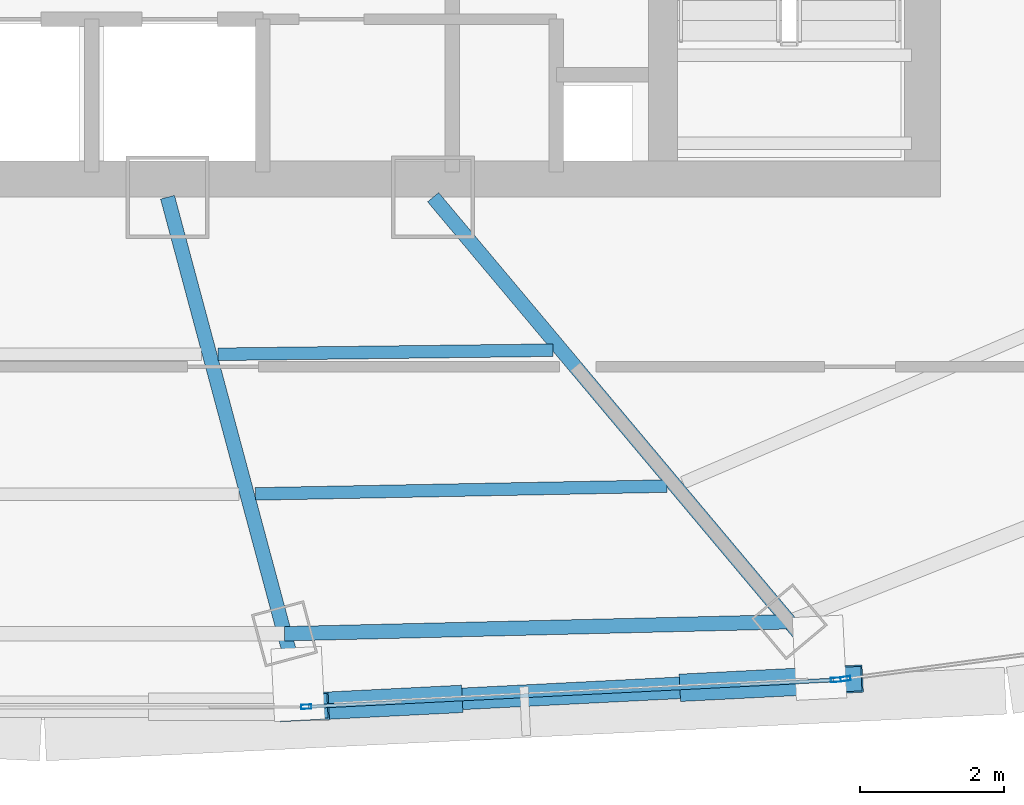
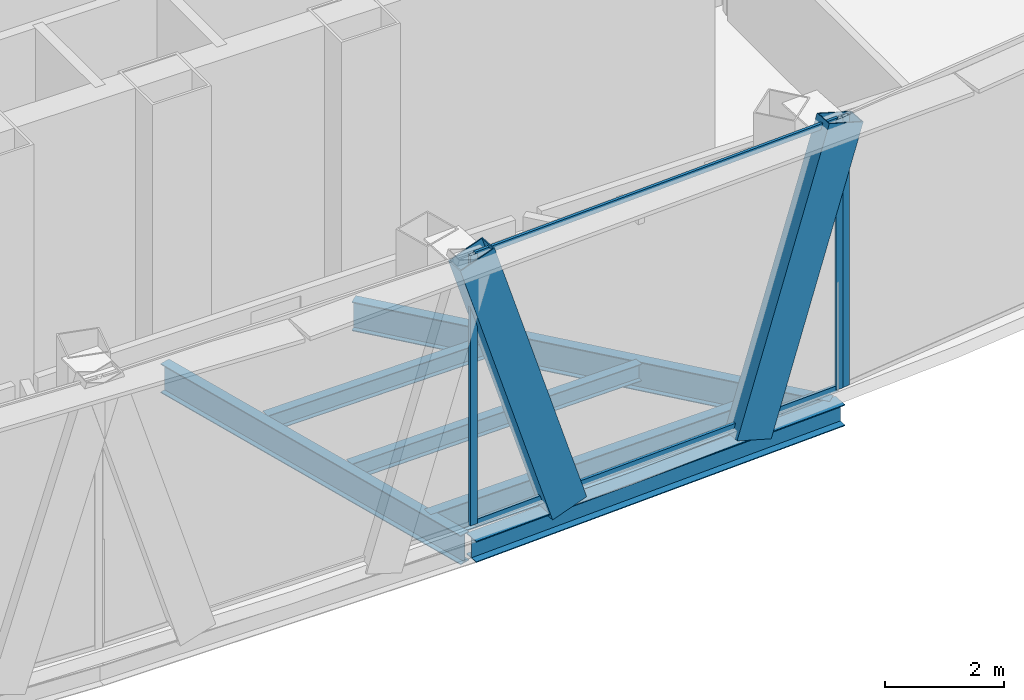
# One storey, part 12 of 33: 7 members, 6 beams, 2 elements without a shape of their own.
"""IFC4 building model written with IfcOpenShell, lengths in metres."""

from ifc_helpers import new_model, si_unit, direction, frame, origin, origin_2d, place, context, subcontext, project, spatial, hollow_rectangle, i_section, extrude, source, transform, mapped, material, layer, layer_set, material_profile, profile_set, type_object, element, aggregate, save


model = new_model("IFC4")

# Units and contexts
model_context = context("Model", 3, precision=1e-05, world=origin(), true_north=direction((0.0, 1.0)))
body_context = subcontext(model_context, "Body", "Model", "MODEL_VIEW")
ifc_project = project(units=[si_unit("LENGTHUNIT", "METRE"), si_unit("AREAUNIT", "SQUARE_METRE"), si_unit("VOLUMEUNIT", "CUBIC_METRE"), si_unit("PLANEANGLEUNIT", "RADIAN"), si_unit("MASSUNIT", "GRAM", prefix="KILO"), si_unit("THERMODYNAMICTEMPERATUREUNIT", "KELVIN"), si_unit("POWERUNIT", "WATT")], contexts=[model_context])

# Site, building, storey
site_placement = place(None, origin())
site = spatial("IfcSite", under=ifc_project, at=site_placement, CompositionType="ELEMENT")
building_placement = place(site_placement, origin())
building = spatial("IfcBuilding", under=site, at=building_placement, Name="Yunzhuo Pagoda Commons", CompositionType="ELEMENT")
storey_placement = place(building_placement, frame((0.0, 0.0, 314.860107421875)))
storey = spatial("IfcBuildingStorey", under=building, at=storey_placement, Name="L79", CompositionType="ELEMENT", Elevation=314.860107421875)

# Beams
ifc_material_1 = material(Name="Structural steel Q355B", Category="steel")
ifc_material_profile_1 = material_profile(ifc_material_1, i_section(OverallWidth=0.175048828125, OverallDepth=0.35009765625, WebThickness=0.007080078125, FlangeThickness=0.010986328125, at=origin_2d()), Name="Structural steel Q355B")
ifc_profile_set_1 = profile_set([ifc_material_profile_1], Name="Structural steel Q355B")
beam_type_1 = type_object("IfcBeamType", Name="B-JS2 Joist HN 350x175x7x11", PredefinedType="JOIST", material=ifc_profile_set_1)
shared_shape_1 = source(origin(), body_context, "Body", "SweptSolid", [
    extrude(i_section(OverallWidth=0.175048828125, OverallDepth=0.35009765625, WebThickness=0.007080078125, FlangeThickness=0.010986328125, at=origin_2d()), origin(), (0.0, 0.0, 1.0), 4.64892578125),
])
beam_1_placement = place(storey_placement, frame((50.42724609375, 25.07177734375, -0.43505859375), z_axis=(0.999924495467, 0.012288342626, 0.0), x_axis=(-0.012288342626, 0.999924495467, 0.0)))
element("IfcBeam", 1, at=beam_1_placement, inside=storey, type_object=beam_type_1, Name="L79 composite ring joist 1.3", PredefinedType="JOIST", context=body_context, shape_type="MappedRepresentation", body=[
    mapped(shared_shape_1, transform((0.0, 0.0, 0.0), scale=1.0)),
])
shared_shape_2 = source(origin(), body_context, "Body", "SweptSolid", [
    extrude(i_section(OverallWidth=0.175048828125, OverallDepth=0.35009765625, WebThickness=0.007080078125, FlangeThickness=0.010986328125, at=origin_2d()), origin(), (0.0, 0.0, 1.0), 5.711669921875),
])
beam_2_placement = place(storey_placement, frame((50.9462890625, 23.135009765625, -0.43505859375), z_axis=(0.999819084998, 0.019020969297, 0.0), x_axis=(-0.019020969297, 0.999819084998, 0.0)))
element("IfcBeam", 2, at=beam_2_placement, inside=storey, type_object=beam_type_1, Name="L79 composite ring joist 2.3", PredefinedType="JOIST", context=body_context, shape_type="MappedRepresentation", body=[
    mapped(shared_shape_2, transform((0.0, 0.0, 0.0), scale=1.0)),
])
ifc_material_profile_2 = material_profile(ifc_material_1, i_section(OverallWidth=0.199951171875, OverallDepth=0.60009765625, WebThickness=0.010986328125, FlangeThickness=0.01708984375, at=origin_2d()), Name="Structural steel Q355B")
ifc_profile_set_2 = profile_set([ifc_material_profile_2], Name="Structural steel Q355B")
beam_type_2 = type_object("IfcBeamType", Name="B-RG3 Beam HN 600x200x11x17", PredefinedType="BEAM", material=ifc_profile_set_2)
shared_shape_3 = source(origin(), body_context, "Body", "SweptSolid", [
    extrude(i_section(OverallWidth=0.199951171875, OverallDepth=0.60009765625, WebThickness=0.010986328125, FlangeThickness=0.01708984375, at=origin_2d()), origin(), (0.0, 0.0, 1.0), 7.0048828125),
])
beam_3_placement = place(storey_placement, frame((51.3505859375, 21.195556640625, -0.56005859375), z_axis=(0.99971911704, 0.023699937233, 0.0), x_axis=(-0.023699937233, 0.99971911704, 0.0)))
element("IfcBeam", 3, at=beam_3_placement, inside=storey, type_object=beam_type_2, Name="L79 column-ring beam 3", PredefinedType="BEAM", context=body_context, shape_type="MappedRepresentation", body=[
    mapped(shared_shape_3, transform((0.0, 0.0, 0.0), scale=1.0)),
])
shared_shape_4 = source(origin(), body_context, "Body", "SweptSolid", [
    extrude(i_section(OverallWidth=0.199951171875, OverallDepth=0.60009765625, WebThickness=0.010986328125, FlangeThickness=0.01708984375, at=origin_2d()), origin(), (0.0, 0.0, 1.0), 7.1630859375),
])
beam_4_placement = place(storey_placement, frame((51.582275390625, 20.3310546875, -0.56005859375), z_axis=(-0.258797417081, 0.96593162124, 0.0), x_axis=(-0.96593162124, -0.258797417081, 0.0)))
element("IfcBeam", 4, at=beam_4_placement, inside=storey, type_object=beam_type_2, Name="L79 radial floor girder F1C3", PredefinedType="BEAM", context=body_context, shape_type="MappedRepresentation", body=[
    mapped(shared_shape_4, transform((0.0, 0.0, 0.0), scale=1.0)),
])
shared_shape_5 = source(origin(), body_context, "Body", "SweptSolid", [
    extrude(i_section(OverallWidth=0.199951171875, OverallDepth=0.60009765625, WebThickness=0.010986328125, FlangeThickness=0.01708984375, at=origin_2d()), origin(), (0.0, 0.0, 1.0), 8.581787109375),
])
beam_5_placement = place(storey_placement, frame((58.928466796875, 20.676025390625, -0.56005859375), z_axis=(-0.642797029111, 0.766036539185, 0.0), x_axis=(-0.766036539185, -0.642797029111, 0.0)))
element("IfcBeam", 5, at=beam_5_placement, inside=storey, type_object=beam_type_2, Name="L79 radial floor girder F1C4", PredefinedType="BEAM", context=body_context, shape_type="MappedRepresentation", body=[
    mapped(shared_shape_5, transform((0.0, 0.0, 0.0), scale=1.0)),
])
ifc_material_profile_3 = material_profile(ifc_material_1, i_section(OverallWidth=0.300048828125, OverallDepth=0.43994140625, WebThickness=0.010986328125, FlangeThickness=0.01806640625, at=origin_2d()), Name="Structural steel Q355B")
ifc_profile_set_3 = profile_set([ifc_material_profile_3], Name="Structural steel Q355B")
beam_type_3 = type_object("IfcBeamType", Name="B-SP2 Beam HM 440x300x11x18", PredefinedType="BEAM", material=ifc_profile_set_3)
shared_shape_6 = source(origin(), body_context, "Body", "SweptSolid", [
    extrude(i_section(OverallWidth=0.300048828125, OverallDepth=0.43994140625, WebThickness=0.010986328125, FlangeThickness=0.01806640625, at=origin_2d()), origin(), (0.0, 0.0, 1.0), 7.4150390625),
])
beam_6_placement = place(storey_placement, frame((51.62255859375, 20.181640625, -0.480224609375), z_axis=(0.998717032838, 0.050638802509, 0.0), x_axis=(-0.050638802509, 0.998717032838, 0.0)))
element("IfcBeam", 6, at=beam_6_placement, inside=storey, type_object=beam_type_3, Name="L79 facade edge spandrel beam F1.3", PredefinedType="BEAM", context=body_context, shape_type="MappedRepresentation", body=[
    mapped(shared_shape_6, transform((0.0, 0.0, 0.0), scale=1.0)),
])

# Members
ifc_material_profile_4 = material_profile(ifc_material_1, hollow_rectangle(XDim=0.3798828125, YDim=0.719970703125, WallThickness=0.02001953125, at=origin_2d()), Name="Structural steel Q355B")
ifc_profile_set_4 = profile_set([ifc_material_profile_4], Name="Structural steel Q355B")
member_type_1 = type_object("IfcMemberType", Name="M-DL3 Brace BOX 720x380x20", PredefinedType="BRACE", material=ifc_profile_set_4)
shared_shape_7 = source(origin(), body_context, "Body", "SweptSolid", [
    extrude(hollow_rectangle(XDim=0.3798828125, YDim=0.719970703125, WallThickness=0.02001953125, at=origin_2d()), origin(), (0.0, 0.0, 1.0), 6.117431640625),
])
for number, where, z_axis, x_axis, name in (
    (7, (53.473876953125, 20.275390625, -0.260009765625), (-0.302629343967, -0.015325025463, 0.952985112037), (0.050574783896, -0.998720276771, 0.0), "L79 facade diamond brace F1.3L"),
    (8, (57.1767578125, 20.463134765625, -0.260009765625), (0.302629158636, 0.015364924974, 0.952984528428), (-0.050706150872, 0.99871361574, 0.0), "L79 facade diamond brace F1.3R"),
):
    element("IfcMember", number, at=place(storey_placement, frame(where, z_axis=z_axis, x_axis=x_axis)), inside=storey, type_object=member_type_1, Name=name, PredefinedType="BRACE", context=body_context, shape_type="MappedRepresentation", body=[
        mapped(shared_shape_7, transform((0.0, 0.0, 0.0), scale=1.0)),
    ])

# Curtain wall, members
ifc_material_2 = material(Name="Anodized aluminium 6063-T6", Category="aluminium")
ifc_layer = layer(ifc_material_2, 0.139892578125)
ifc_layer_set = layer_set([ifc_layer], Name="Anodized aluminium 6063-T6")
curtain_wall_type = type_object("IfcCurtainWallType", Name="CW-HI High-Zone Ribbon Curtain Wall", PredefinedType="NOTDEFINED", material=ifc_layer_set)
curtain_wall_1_placement = place(storey_placement, origin())
curtain_wall_1 = element("IfcCurtainWall", 9, at=curtain_wall_1_placement, inside=storey, type_object=curtain_wall_type, Name="L79 curtain wall CW-L79-F1B4", PredefinedType="NOTDEFINED")
ifc_material_profile_5 = material_profile(ifc_material_2, hollow_rectangle(XDim=0.054931640625, YDim=0.1201171875, WallThickness=0.00341796875, at=origin_2d()), Name="Anodized aluminium 6063-T6")
ifc_profile_set_5 = profile_set([ifc_material_profile_5], Name="Anodized aluminium 6063-T6")
member_type_2 = type_object("IfcMemberType", Name="CW-HI-T Transom RHS 120x55x3.5", PredefinedType="USERDEFINED", material=ifc_profile_set_5)
shared_shape_8 = source(origin(), body_context, "Body", "SweptSolid", [
    extrude(hollow_rectangle(XDim=0.054931640625, YDim=0.1201171875, WallThickness=0.00341796875, at=origin_2d()), origin(), (0.0, 0.0, 1.0), 7.29541015625),
])
member_1_placement = place(storey_placement, frame((51.68212890625, 20.184326171875, 0.02734375), z_axis=(0.998713994516, 0.050698689911, 0.0), x_axis=(-0.050698689911, 0.998713994516, 0.0)))
member_1 = element("IfcMember", 10, at=member_1_placement, type_object=member_type_2, Name="CW transom 1.1", ObjectType="TRANSOM", PredefinedType="USERDEFINED", context=body_context, shape_type="MappedRepresentation", body=[
    mapped(shared_shape_8, transform((0.0, 0.0, 0.0), scale=1.0)),
])
member_2_placement = place(storey_placement, frame((51.68212890625, 20.184326171875, 5.54248046875), z_axis=(0.998713994516, 0.050698689911, 0.0), x_axis=(-0.050698689911, 0.998713994516, 0.0)))
member_2 = element("IfcMember", 11, at=member_2_placement, type_object=member_type_2, Name="CW transom 1.2", ObjectType="TRANSOM", PredefinedType="USERDEFINED", context=body_context, shape_type="MappedRepresentation", body=[
    mapped(shared_shape_8, transform((0.0, 0.0, 0.0), scale=1.0)),
])
ifc_material_profile_6 = material_profile(ifc_material_2, hollow_rectangle(XDim=0.06005859375, YDim=0.139892578125, WallThickness=0.00341796875, at=origin_2d()), Name="Anodized aluminium 6063-T6")
ifc_profile_set_6 = profile_set([ifc_material_profile_6], Name="Anodized aluminium 6063-T6")
member_type_3 = type_object("IfcMemberType", Name="CW-HI-M Mullion RHS 140x60x3.5", PredefinedType="MULLION", material=ifc_profile_set_6)
shared_shape_9 = source(origin(), body_context, "Body", "SweptSolid", [
    extrude(hollow_rectangle(XDim=0.06005859375, YDim=0.139892578125, WallThickness=0.00341796875, at=origin_2d()), origin(), (0.0, 0.0, 1.0), 5.56982421875),
])
member_3_placement = place(storey_placement, frame((51.65234375, 20.182861328125, 0.0), z_axis=(0.0, 0.0, 1.0), x_axis=(-0.050692256518, 0.998714321079, 0.0)))
member_3 = element("IfcMember", 12, at=member_3_placement, type_object=member_type_3, Name="CW mullion 1", PredefinedType="MULLION", context=body_context, shape_type="MappedRepresentation", body=[
    mapped(shared_shape_9, transform((0.0, 0.0, 0.0), scale=1.0)),
])
member_4_placement = place(storey_placement, frame((58.998046875, 20.5556640625, 0.0), z_axis=(0.0, 0.0, 1.0), x_axis=(-0.050692256518, 0.998714321079, 0.0)))
member_4 = element("IfcMember", 13, at=member_4_placement, type_object=member_type_3, Name="CW mullion 2", PredefinedType="MULLION", context=body_context, shape_type="MappedRepresentation", body=[
    mapped(shared_shape_9, transform((0.0, 0.0, 0.0), scale=1.0)),
])
aggregate(curtain_wall_1, [member_3, member_4, member_1, member_2])

# Curtain wall, member
curtain_wall_2_placement = place(storey_placement, origin())
curtain_wall_2 = element("IfcCurtainWall", 14, at=curtain_wall_2_placement, inside=storey, type_object=curtain_wall_type, Name="L79 curtain wall CW-L79-F1B5", PredefinedType="NOTDEFINED")
member_5_placement = place(storey_placement, frame((59.132080078125, 20.5712890625, 0.0), z_axis=(0.0, 0.0, 1.0), x_axis=(-0.133518525759, 0.991046317424, 0.0)))
member_5 = element("IfcMember", 15, at=member_5_placement, type_object=member_type_3, Name="CW mullion 1", PredefinedType="MULLION", context=body_context, shape_type="MappedRepresentation", body=[
    mapped(shared_shape_9, transform((0.0, 0.0, 0.0), scale=1.0)),
])
aggregate(curtain_wall_2, [member_5])

save(model, "model.ifc")
